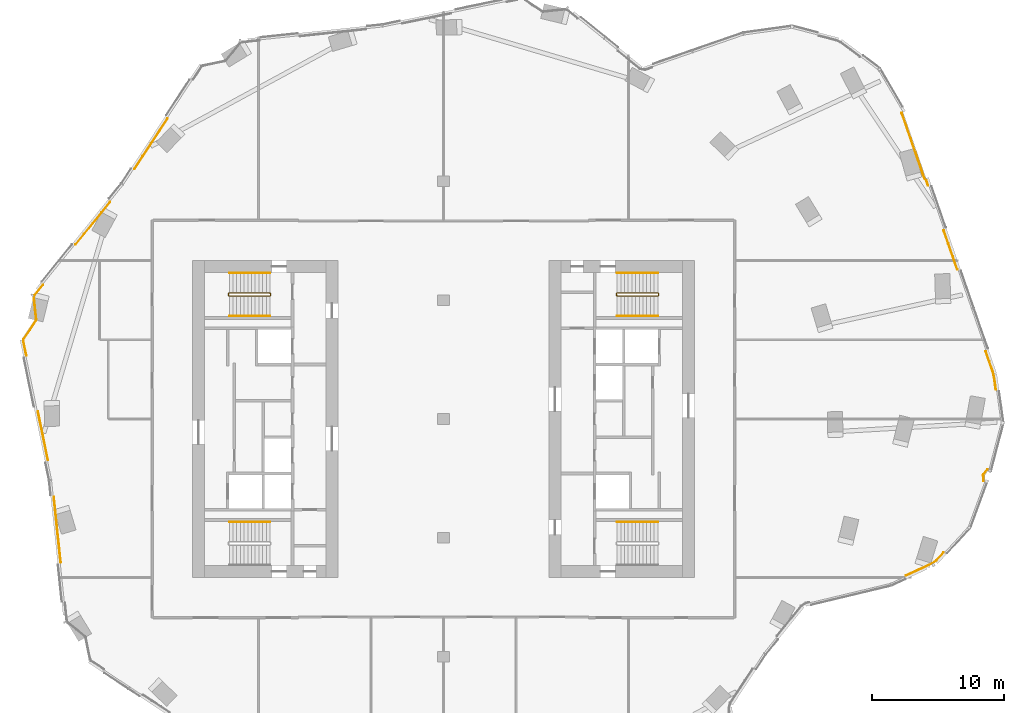
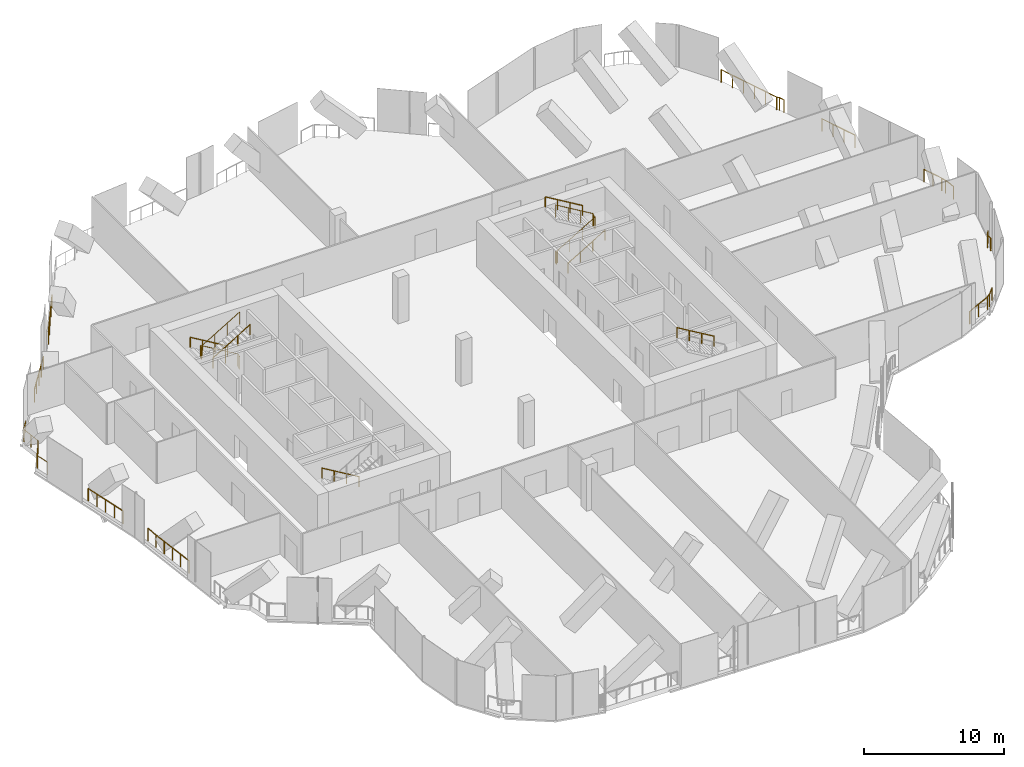
# One storey, part 25 of 26: 18 railings.
"""IFC4 building model written with IfcOpenShell, lengths in metres."""

from ifc_helpers import new_model, si_unit, direction, frame, origin, origin_2d, place, context, subcontext, project, spatial, circle, extrude, material, type_object, element, save


model = new_model("IFC4")

# Units and contexts
model_context = context("Model", 3, precision=1e-05, world=origin(), true_north=direction((0.0, 1.0)))
body_context = subcontext(model_context, "Body", "Model", "MODEL_VIEW")
ifc_project = project(units=[si_unit("LENGTHUNIT", "METRE"), si_unit("AREAUNIT", "SQUARE_METRE"), si_unit("VOLUMEUNIT", "CUBIC_METRE"), si_unit("PLANEANGLEUNIT", "RADIAN"), si_unit("MASSUNIT", "GRAM", prefix="KILO")], contexts=[model_context])

# Site, building, storey
site_placement = place(None, origin())
site = spatial("IfcSite", under=ifc_project, at=site_placement, CompositionType="ELEMENT")
building_placement = place(site_placement, origin())
building = spatial("IfcBuilding", under=site, at=building_placement, Name="Orlundy Tower", CompositionType="ELEMENT")
storey_placement = place(building_placement, frame((0.0, 0.0, 228.0)))
storey = spatial("IfcBuildingStorey", under=building, at=storey_placement, Name="L60", CompositionType="ELEMENT", Elevation=228.0)

# Railings
ifc_material_1 = material(Name="Steel balustrade", Category="steel")
railing_type_1 = type_object("IfcRailingType", Name="Stair Guard 1100", PredefinedType="GUARDRAIL", material=ifc_material_1)
railing_1_placement = place(storey_placement, frame((-13.090087890625, 9.5, 0.0)))
element("IfcRailing", 1, at=railing_1_placement, inside=storey, type_object=railing_type_1, Name="L60 ST-W1 stair guard 1", PredefinedType="GUARDRAIL", context=body_context, shape_type="SweptSolid", body=[
    extrude(circle(Radius=0.02392578125, at=origin_2d()), frame((0.0, 0.0, 1.076171875), z_axis=(0.0, -1.0, 0.0), x_axis=(1.0, 0.0, 0.0)), (0.0, 0.0, 1.0), 0.14990234375),
    extrude(circle(Radius=0.02392578125, at=origin_2d()), frame((0.0, -0.14990234375, 1.076171875), z_axis=(-0.1878875253, 0.754313153044, 0.629054802844), x_axis=(-0.970351222016, -0.241699205484, 0.0)), (0.0, 0.0, 1.0), 0.26513671875),
    extrude(circle(Radius=0.02392578125, at=origin_2d()), frame((-0.0498046875, 0.050048828125, 1.24267578125), z_axis=(-0.859308565015, 0.0, 0.511457515432), x_axis=(0.0, -1.0, 0.0)), (0.0, 0.0, 1.0), 3.58447265625),
    extrude(circle(Radius=0.02392578125, at=origin_2d()), frame((-3.1298828125, 0.050048828125, 3.076171875), z_axis=(-0.707106781187, -0.707106781187, 0.0), x_axis=(0.707106781187, -0.707106781187, 0.0)), (0.0, 0.0, 1.0), 0.07080078125),
    extrude(circle(Radius=0.02392578125, at=origin_2d()), frame((-3.179931640625, 0.0, 3.076171875), z_axis=(0.0, -1.0, 0.0), x_axis=(1.0, 0.0, 0.0)), (0.0, 0.0, 1.0), 0.14990234375),
    extrude(circle(Radius=0.02392578125, at=origin_2d()), frame((-3.179931640625, -0.14990234375, 3.076171875), z_axis=(0.27628659633, -0.27628659633, 0.920506074601), x_axis=(0.707106781187, 0.707106781187, 0.0)), (0.0, 0.0, 1.0), 0.18115234375),
    extrude(circle(Radius=0.02392578125, at=origin_2d()), frame((-3.1298828125, -0.199951171875, 3.24267578125), z_axis=(0.859308565015, 0.0, 0.511457515432), x_axis=(0.0, 1.0, 0.0)), (0.0, 0.0, 1.0), 3.58447265625),
    extrude(circle(Radius=0.02099609375, at=origin_2d()), origin(), (0.0, 0.0, 1.0), 1.052001953125),
    extrude(circle(Radius=0.02099609375, at=origin_2d()), frame((0.0, -0.14990234375, 0.0)), (0.0, 0.0, 1.0), 1.052001953125),
    extrude(circle(Radius=0.02099609375, at=origin_2d()), frame((-0.0498046875, 0.050048828125, 0.166748046875)), (0.0, 0.0, 1.0), 1.052001953125),
    extrude(circle(Radius=0.02099609375, at=origin_2d()), frame((-1.076416015625, 0.050048828125, 0.77783203125)), (0.0, 0.0, 1.0), 1.052001953125),
    extrude(circle(Radius=0.02099609375, at=origin_2d()), frame((-2.103271484375, 0.050048828125, 1.388916015625)), (0.0, 0.0, 1.0), 1.052001953125),
    extrude(circle(Radius=0.02099609375, at=origin_2d()), frame((-3.1298828125, 0.050048828125, 2.0)), (0.0, 0.0, 1.0), 1.052001953125),
    extrude(circle(Radius=0.02099609375, at=origin_2d()), frame((-3.179931640625, 0.0, 2.0)), (0.0, 0.0, 1.0), 1.052001953125),
    extrude(circle(Radius=0.02099609375, at=origin_2d()), frame((-3.179931640625, -0.14990234375, 2.0)), (0.0, 0.0, 1.0), 1.052001953125),
    extrude(circle(Radius=0.02099609375, at=origin_2d()), frame((-3.1298828125, -0.199951171875, 2.166748046875)), (0.0, 0.0, 1.0), 1.052001953125),
    extrude(circle(Radius=0.02099609375, at=origin_2d()), frame((-2.103271484375, -0.199951171875, 2.77783203125)), (0.0, 0.0, 1.0), 1.052001953125),
    extrude(circle(Radius=0.02099609375, at=origin_2d()), frame((-1.076416015625, -0.199951171875, 3.388916015625)), (0.0, 0.0, 1.0), 1.052001953125),
    extrude(circle(Radius=0.02099609375, at=origin_2d()), frame((-0.0498046875, -0.199951171875, 4.0)), (0.0, 0.0, 1.0), 1.052001953125),
])
railing_2_placement = place(storey_placement, frame((13.090087890625, 9.35009765625, 0.0)))
element("IfcRailing", 2, at=railing_2_placement, inside=storey, type_object=railing_type_1, Name="L60 ST-E2 stair guard 1", PredefinedType="GUARDRAIL", context=body_context, shape_type="SweptSolid", body=[
    extrude(circle(Radius=0.02392578125, at=origin_2d()), frame((0.0, 0.0, 1.076171875), z_axis=(0.0, 1.0, 0.0), x_axis=(-1.0, 0.0, 0.0)), (0.0, 0.0, 1.0), 0.14990234375),
    extrude(circle(Radius=0.02392578125, at=origin_2d()), frame((0.0, 0.14990234375, 1.076171875), z_axis=(0.1878875253, -0.754313153044, 0.629054802844), x_axis=(0.970351222016, 0.241699205484, 0.0)), (0.0, 0.0, 1.0), 0.26513671875),
    extrude(circle(Radius=0.02392578125, at=origin_2d()), frame((0.0498046875, -0.050048828125, 1.24267578125), z_axis=(0.859308565015, 0.0, 0.511457515432), x_axis=(0.0, 1.0, 0.0)), (0.0, 0.0, 1.0), 3.58447265625),
    extrude(circle(Radius=0.02392578125, at=origin_2d()), frame((3.1298828125, -0.050048828125, 3.076171875), z_axis=(0.707106781187, 0.707106781187, 0.0), x_axis=(-0.707106781187, 0.707106781187, 0.0)), (0.0, 0.0, 1.0), 0.07080078125),
    extrude(circle(Radius=0.02392578125, at=origin_2d()), frame((3.179931640625, 0.0, 3.076171875), z_axis=(0.0, 1.0, 0.0), x_axis=(-1.0, 0.0, 0.0)), (0.0, 0.0, 1.0), 0.14990234375),
    extrude(circle(Radius=0.02392578125, at=origin_2d()), frame((3.179931640625, 0.14990234375, 3.076171875), z_axis=(-0.27628659633, 0.27628659633, 0.920506074601), x_axis=(-0.707106781187, -0.707106781187, 0.0)), (0.0, 0.0, 1.0), 0.18115234375),
    extrude(circle(Radius=0.02392578125, at=origin_2d()), frame((3.1298828125, 0.199951171875, 3.24267578125), z_axis=(-0.859308565015, 0.0, 0.511457515432), x_axis=(0.0, -1.0, 0.0)), (0.0, 0.0, 1.0), 3.58447265625),
    extrude(circle(Radius=0.02099609375, at=origin_2d()), origin(), (0.0, 0.0, 1.0), 1.052001953125),
    extrude(circle(Radius=0.02099609375, at=origin_2d()), frame((0.0, 0.14990234375, 0.0)), (0.0, 0.0, 1.0), 1.052001953125),
    extrude(circle(Radius=0.02099609375, at=origin_2d()), frame((0.0498046875, -0.050048828125, 0.166748046875)), (0.0, 0.0, 1.0), 1.052001953125),
    extrude(circle(Radius=0.02099609375, at=origin_2d()), frame((1.076416015625, -0.050048828125, 0.77783203125)), (0.0, 0.0, 1.0), 1.052001953125),
    extrude(circle(Radius=0.02099609375, at=origin_2d()), frame((2.103271484375, -0.050048828125, 1.388916015625)), (0.0, 0.0, 1.0), 1.052001953125),
    extrude(circle(Radius=0.02099609375, at=origin_2d()), frame((3.1298828125, -0.050048828125, 2.0)), (0.0, 0.0, 1.0), 1.052001953125),
    extrude(circle(Radius=0.02099609375, at=origin_2d()), frame((3.179931640625, 0.0, 2.0)), (0.0, 0.0, 1.0), 1.052001953125),
    extrude(circle(Radius=0.02099609375, at=origin_2d()), frame((3.179931640625, 0.14990234375, 2.0)), (0.0, 0.0, 1.0), 1.052001953125),
    extrude(circle(Radius=0.02099609375, at=origin_2d()), frame((3.1298828125, 0.199951171875, 2.166748046875)), (0.0, 0.0, 1.0), 1.052001953125),
    extrude(circle(Radius=0.02099609375, at=origin_2d()), frame((2.103271484375, 0.199951171875, 2.77783203125)), (0.0, 0.0, 1.0), 1.052001953125),
    extrude(circle(Radius=0.02099609375, at=origin_2d()), frame((1.076416015625, 0.199951171875, 3.388916015625)), (0.0, 0.0, 1.0), 1.052001953125),
    extrude(circle(Radius=0.02099609375, at=origin_2d()), frame((0.0498046875, 0.199951171875, 4.0)), (0.0, 0.0, 1.0), 1.052001953125),
])
ifc_material_2 = material(Name="Steel handrail", Category="steel")
railing_type_2 = type_object("IfcRailingType", Name="Stair Handrail 900", PredefinedType="HANDRAIL", material=ifc_material_2)
railing_3_placement = place(storey_placement, frame((-13.139892578125, 11.050048828125, 0.166748046875)))
element("IfcRailing", 3, at=railing_3_placement, inside=storey, type_object=railing_type_2, Name="L60 ST-W1 stair handrail 1", PredefinedType="HANDRAIL", context=body_context, shape_type="SweptSolid", body=[
    extrude(circle(Radius=0.02392578125, at=origin_2d()), frame((0.0, 0.0, 0.8759765625), z_axis=(-0.859308565015, 0.0, 0.511457515432), x_axis=(0.0, -1.0, 0.0)), (0.0, 0.0, 1.0), 3.58447265625),
    extrude(circle(Radius=0.02099609375, at=origin_2d()), origin(), (0.0, 0.0, 1.0), 0.851806640625),
    extrude(circle(Radius=0.02099609375, at=origin_2d()), frame((-1.026611328125, 0.0, 0.611083984375)), (0.0, 0.0, 1.0), 0.851806640625),
    extrude(circle(Radius=0.02099609375, at=origin_2d()), frame((-2.053466796875, 0.0, 1.22216796875)), (0.0, 0.0, 1.0), 0.851806640625),
    extrude(circle(Radius=0.02099609375, at=origin_2d()), frame((-3.080078125, 0.0, 1.833251953125)), (0.0, 0.0, 1.0), 0.851806640625),
])
railing_4_placement = place(storey_placement, frame((-16.219970703125, 7.800048828125, 2.166748046875)))
element("IfcRailing", 4, at=railing_4_placement, inside=storey, type_object=railing_type_2, Name="L60 ST-W1 stair handrail 2", PredefinedType="HANDRAIL", context=body_context, shape_type="SweptSolid", body=[
    extrude(circle(Radius=0.02392578125, at=origin_2d()), frame((0.0, 0.0, 0.8759765625), z_axis=(0.859308565015, 0.0, 0.511457515432), x_axis=(0.0, 1.0, 0.0)), (0.0, 0.0, 1.0), 3.58447265625),
    extrude(circle(Radius=0.02099609375, at=origin_2d()), origin(), (0.0, 0.0, 1.0), 0.851806640625),
    extrude(circle(Radius=0.02099609375, at=origin_2d()), frame((1.026611328125, 0.0, 0.611083984375)), (0.0, 0.0, 1.0), 0.851806640625),
    extrude(circle(Radius=0.02099609375, at=origin_2d()), frame((2.053466796875, 0.0, 1.22216796875)), (0.0, 0.0, 1.0), 0.851806640625),
    extrude(circle(Radius=0.02099609375, at=origin_2d()), frame((3.080078125, 0.0, 1.833251953125)), (0.0, 0.0, 1.0), 0.851806640625),
])
for number, where, name in (
    (5, (-13.139892578125, -7.800048828125, 0.166748046875), "L60 ST-W2 stair handrail 1"),
    (6, (16.219970703125, -7.800048828125, 2.166748046875), "L60 ST-E1 stair handrail 2"),
):
    element("IfcRailing", number, at=place(storey_placement, frame(where)), inside=storey, type_object=railing_type_2, Name=name, PredefinedType="HANDRAIL", context=body_context, shape_type="SweptSolid", body=[
        extrude(circle(Radius=0.02392578125, at=origin_2d()), frame((0.0, 0.0, 0.8759765625), z_axis=(-0.859308565015, 0.0, 0.511457515432), x_axis=(0.0, -1.0, 0.0)), (0.0, 0.0, 1.0), 3.58447265625),
        extrude(circle(Radius=0.02099609375, at=origin_2d()), origin(), (0.0, 0.0, 1.0), 0.851806640625),
        extrude(circle(Radius=0.02099609375, at=origin_2d()), frame((-1.026611328125, 0.0, 0.611083984375)), (0.0, 0.0, 1.0), 0.851806640625),
        extrude(circle(Radius=0.02099609375, at=origin_2d()), frame((-2.053466796875, 0.0, 1.22216796875)), (0.0, 0.0, 1.0), 0.851806640625),
        extrude(circle(Radius=0.02099609375, at=origin_2d()), frame((-3.080078125, 0.0, 1.833251953125)), (0.0, 0.0, 1.0), 0.851806640625),
    ])
railing_5_placement = place(storey_placement, frame((13.139892578125, 7.800048828125, 0.166748046875)))
element("IfcRailing", 7, at=railing_5_placement, inside=storey, type_object=railing_type_2, Name="L60 ST-E2 stair handrail 1", PredefinedType="HANDRAIL", context=body_context, shape_type="SweptSolid", body=[
    extrude(circle(Radius=0.02392578125, at=origin_2d()), frame((0.0, 0.0, 0.8759765625), z_axis=(0.859308565015, 0.0, 0.511457515432), x_axis=(0.0, 1.0, 0.0)), (0.0, 0.0, 1.0), 3.58447265625),
    extrude(circle(Radius=0.02099609375, at=origin_2d()), origin(), (0.0, 0.0, 1.0), 0.851806640625),
    extrude(circle(Radius=0.02099609375, at=origin_2d()), frame((1.026611328125, 0.0, 0.611083984375)), (0.0, 0.0, 1.0), 0.851806640625),
    extrude(circle(Radius=0.02099609375, at=origin_2d()), frame((2.053466796875, 0.0, 1.22216796875)), (0.0, 0.0, 1.0), 0.851806640625),
    extrude(circle(Radius=0.02099609375, at=origin_2d()), frame((3.080078125, 0.0, 1.833251953125)), (0.0, 0.0, 1.0), 0.851806640625),
])
railing_6_placement = place(storey_placement, frame((16.219970703125, 11.050048828125, 2.166748046875)))
element("IfcRailing", 8, at=railing_6_placement, inside=storey, type_object=railing_type_2, Name="L60 ST-E2 stair handrail 2", PredefinedType="HANDRAIL", context=body_context, shape_type="SweptSolid", body=[
    extrude(circle(Radius=0.02392578125, at=origin_2d()), frame((0.0, 0.0, 0.8759765625), z_axis=(-0.859308565015, 0.0, 0.511457515432), x_axis=(0.0, -1.0, 0.0)), (0.0, 0.0, 1.0), 3.58447265625),
    extrude(circle(Radius=0.02099609375, at=origin_2d()), origin(), (0.0, 0.0, 1.0), 0.851806640625),
    extrude(circle(Radius=0.02099609375, at=origin_2d()), frame((-1.026611328125, 0.0, 0.611083984375)), (0.0, 0.0, 1.0), 0.851806640625),
    extrude(circle(Radius=0.02099609375, at=origin_2d()), frame((-2.053466796875, 0.0, 1.22216796875)), (0.0, 0.0, 1.0), 0.851806640625),
    extrude(circle(Radius=0.02099609375, at=origin_2d()), frame((-3.080078125, 0.0, 1.833251953125)), (0.0, 0.0, 1.0), 0.851806640625),
])
ifc_material_3 = material(Name="Stainless steel bronze finish", Category="steel")
railing_type_3 = type_object("IfcRailingType", Name="TG1 terrace guard", PredefinedType="GUARDRAIL", material=ifc_material_3)
railing_7_placement = place(storey_placement, frame((-31.586181640625, 4.815673828125, 0.0)))
element("IfcRailing", 9, at=railing_7_placement, inside=storey, type_object=railing_type_3, Name="Guard TG-L60-E03", PredefinedType="GUARDRAIL", context=body_context, shape_type="SweptSolid", body=[
    extrude(circle(Radius=0.02490234375, at=origin_2d()), frame((0.0, 0.0, 1.09521484375), z_axis=(-0.202425856492, 0.979297591452, 0.0), x_axis=(-0.979297591452, -0.202425856492, 0.0)), (0.0, 0.0, 1.0), 1.122802734375),
    extrude(circle(Radius=0.02490234375, at=origin_2d()), frame((-0.227294921875, 1.099609375, 1.09521484375), z_axis=(0.167921895274, 0.985800302844, 0.0), x_axis=(-0.985800302844, 0.167921895274, 0.0)), (0.0, 0.0, 1.0), 0.12353515625),
    extrude(circle(Radius=0.02490234375, at=origin_2d()), frame((-0.20654296875, 1.221435546875, 1.09521484375), z_axis=(0.549529627259, 0.835474229863, 0.0), x_axis=(-0.835474229863, 0.549529627259, 0.0)), (0.0, 0.0, 1.0), 1.703369140625),
    extrude(circle(Radius=0.02490234375, at=origin_2d()), frame((0.7294921875, 2.64453125, 1.09521484375), z_axis=(0.236119836777, 0.971723943659, 0.0), x_axis=(-0.971723943659, 0.236119836777, 0.0)), (0.0, 0.0, 1.0), 0.08056640625),
    extrude(circle(Radius=0.02490234375, at=origin_2d()), frame((0.74853515625, 2.722900390625, 1.09521484375), z_axis=(-0.104364333885, 0.994539132369, 0.0), x_axis=(-0.994539132369, -0.104364333885, 0.0)), (0.0, 0.0, 1.0), 1.705322265625),
    extrude(circle(Radius=0.02490234375, at=origin_2d()), frame((0.570556640625, 4.4189453125, 1.09521484375), z_axis=(0.304345448732, 0.952561729147, 0.0), x_axis=(-0.952561729147, 0.304345448732, 0.0)), (0.0, 0.0, 1.0), 0.12353515625),
    extrude(circle(Radius=0.02490234375, at=origin_2d()), frame((0.608154296875, 4.53662109375, 1.09521484375), z_axis=(0.629337161206, 0.777132380952, 0.0), x_axis=(-0.777132380952, 0.629337161206, 0.0)), (0.0, 0.0, 1.0), 1.010986328125),
    extrude(circle(Radius=0.02001953125, at=origin_2d()), origin(), (0.0, 0.0, 1.0), 1.070068359375),
    extrude(circle(Radius=0.02001953125, at=origin_2d()), frame((-0.227294921875, 1.099609375, 0.0)), (0.0, 0.0, 1.0), 1.070068359375),
    extrude(circle(Radius=0.02001953125, at=origin_2d()), frame((-0.20654296875, 1.221435546875, 0.0)), (0.0, 0.0, 1.0), 1.070068359375),
    extrude(circle(Radius=0.02001953125, at=origin_2d()), frame((0.261474609375, 1.93310546875, 0.0)), (0.0, 0.0, 1.0), 1.070068359375),
    extrude(circle(Radius=0.02001953125, at=origin_2d()), frame((0.7294921875, 2.64453125, 0.0)), (0.0, 0.0, 1.0), 1.070068359375),
    extrude(circle(Radius=0.02001953125, at=origin_2d()), frame((0.74853515625, 2.722900390625, 0.0)), (0.0, 0.0, 1.0), 1.070068359375),
    extrude(circle(Radius=0.02001953125, at=origin_2d()), frame((0.65966796875, 3.57080078125, 0.0)), (0.0, 0.0, 1.0), 1.070068359375),
    extrude(circle(Radius=0.02001953125, at=origin_2d()), frame((0.570556640625, 4.4189453125, 0.0)), (0.0, 0.0, 1.0), 1.070068359375),
    extrude(circle(Radius=0.02001953125, at=origin_2d()), frame((0.608154296875, 4.53662109375, 0.0)), (0.0, 0.0, 1.0), 1.070068359375),
    extrude(circle(Radius=0.02001953125, at=origin_2d()), frame((1.244384765625, 5.322265625, 0.0)), (0.0, 0.0, 1.0), 1.070068359375),
])
railing_8_placement = place(storey_placement, frame((34.694580078125, 23.175537109375, 0.0)))
element("IfcRailing", 10, at=railing_8_placement, inside=storey, type_object=railing_type_3, Name="Guard TG-L60-E05", PredefinedType="GUARDRAIL", context=body_context, shape_type="SweptSolid", body=[
    extrude(circle(Radius=0.02490234375, at=origin_2d()), frame((0.0, 0.0, 1.09521484375), z_axis=(0.328311392455, -0.944569547246, 0.0), x_axis=(0.944569547246, 0.328311392455, 0.0)), (0.0, 0.0, 1.0), 5.25),
    extrude(circle(Radius=0.02490234375, at=origin_2d()), frame((1.7236328125, -4.958984375, 1.09521484375), z_axis=(0.655448452775, -0.755239912713, 0.0), x_axis=(0.755239912713, 0.655448452775, 0.0)), (0.0, 0.0, 1.0), 0.21533203125),
    extrude(circle(Radius=0.02490234375, at=origin_2d()), frame((1.86474609375, -5.12158203125, 1.09521484375), z_axis=(0.328520624941, -0.944496796706, 0.0), x_axis=(0.944496796706, 0.328520624941, 0.0)), (0.0, 0.0, 1.0), 0.3984375),
    extrude(circle(Radius=0.02001953125, at=origin_2d()), origin(), (0.0, 0.0, 1.0), 1.070068359375),
    extrude(circle(Radius=0.02001953125, at=origin_2d()), frame((0.3447265625, -0.99169921875, 0.0)), (0.0, 0.0, 1.0), 1.070068359375),
    extrude(circle(Radius=0.02001953125, at=origin_2d()), frame((0.689453125, -1.983642578125, 0.0)), (0.0, 0.0, 1.0), 1.070068359375),
    extrude(circle(Radius=0.02001953125, at=origin_2d()), frame((1.0341796875, -2.975341796875, 0.0)), (0.0, 0.0, 1.0), 1.070068359375),
    extrude(circle(Radius=0.02001953125, at=origin_2d()), frame((1.37890625, -3.96728515625, 0.0)), (0.0, 0.0, 1.0), 1.070068359375),
    extrude(circle(Radius=0.02001953125, at=origin_2d()), frame((1.7236328125, -4.958984375, 0.0)), (0.0, 0.0, 1.0), 1.070068359375),
    extrude(circle(Radius=0.02001953125, at=origin_2d()), frame((1.86474609375, -5.12158203125, 0.0)), (0.0, 0.0, 1.0), 1.070068359375),
    extrude(circle(Radius=0.02001953125, at=origin_2d()), frame((1.99560546875, -5.497802734375, 0.0)), (0.0, 0.0, 1.0), 1.070068359375),
])
railing_9_placement = place(storey_placement, frame((-28.983642578125, -10.860107421875, 0.0)))
element("IfcRailing", 11, at=railing_9_placement, inside=storey, type_object=railing_type_3, Name="Guard TG-L60-E07", PredefinedType="GUARDRAIL", context=body_context, shape_type="SweptSolid", body=[
    extrude(circle(Radius=0.02490234375, at=origin_2d()), frame((0.0, 0.0, 1.09521484375), z_axis=(-0.104542377748, 0.994520432799, 0.0), x_axis=(-0.994520432799, -0.104542377748, 0.0)), (0.0, 0.0, 1.0), 4.99755859375),
    extrude(circle(Radius=0.02001953125, at=origin_2d()), origin(), (0.0, 0.0, 1.0), 1.070068359375),
    extrude(circle(Radius=0.02001953125, at=origin_2d()), frame((-0.1044921875, 0.994140625, 0.0)), (0.0, 0.0, 1.0), 1.070068359375),
    extrude(circle(Radius=0.02001953125, at=origin_2d()), frame((-0.208984375, 1.988037109375, 0.0)), (0.0, 0.0, 1.0), 1.070068359375),
    extrude(circle(Radius=0.02001953125, at=origin_2d()), frame((-0.3134765625, 2.982177734375, 0.0)), (0.0, 0.0, 1.0), 1.070068359375),
    extrude(circle(Radius=0.02001953125, at=origin_2d()), frame((-0.41796875, 3.97607421875, 0.0)), (0.0, 0.0, 1.0), 1.070068359375),
    extrude(circle(Radius=0.02001953125, at=origin_2d()), frame((-0.5224609375, 4.97021484375, 0.0)), (0.0, 0.0, 1.0), 1.070068359375),
])
railing_10_placement = place(storey_placement, frame((-23.40087890625, 18.94140625, 0.0)))
element("IfcRailing", 12, at=railing_10_placement, inside=storey, type_object=railing_type_3, Name="Guard TG-L60-E09", PredefinedType="GUARDRAIL", context=body_context, shape_type="SweptSolid", body=[
    extrude(circle(Radius=0.02490234375, at=origin_2d()), frame((0.0, 0.0, 1.09521484375), z_axis=(0.549504489788, 0.835490763386, 0.0), x_axis=(-0.835490763386, 0.549504489788, 0.0)), (0.0, 0.0, 1.0), 4.563720703125),
    extrude(circle(Radius=0.02001953125, at=origin_2d()), origin(), (0.0, 0.0, 1.0), 1.070068359375),
    extrude(circle(Radius=0.02001953125, at=origin_2d()), frame((0.626953125, 0.953125, 0.0)), (0.0, 0.0, 1.0), 1.070068359375),
    extrude(circle(Radius=0.02001953125, at=origin_2d()), frame((1.25390625, 1.906494140625, 0.0)), (0.0, 0.0, 1.0), 1.070068359375),
    extrude(circle(Radius=0.02001953125, at=origin_2d()), frame((1.880859375, 2.85986328125, 0.0)), (0.0, 0.0, 1.0), 1.070068359375),
    extrude(circle(Radius=0.02001953125, at=origin_2d()), frame((2.5078125, 3.81298828125, 0.0)), (0.0, 0.0, 1.0), 1.070068359375),
])
railing_11_placement = place(storey_placement, frame((-27.865478515625, 13.19580078125, 0.0)))
element("IfcRailing", 13, at=railing_11_placement, inside=storey, type_object=railing_type_3, Name="Guard TG-L60-E010", PredefinedType="GUARDRAIL", context=body_context, shape_type="SweptSolid", body=[
    extrude(circle(Radius=0.02490234375, at=origin_2d()), frame((0.0, 0.0, 1.09521484375), z_axis=(0.629284155336, 0.777175303161, 0.0), x_axis=(-0.777175303161, 0.629284155336, 0.0)), (0.0, 0.0, 1.0), 4.168212890625),
    extrude(circle(Radius=0.02001953125, at=origin_2d()), origin(), (0.0, 0.0, 1.0), 1.070068359375),
    extrude(circle(Radius=0.02001953125, at=origin_2d()), frame((0.65576171875, 0.809814453125, 0.0)), (0.0, 0.0, 1.0), 1.070068359375),
    extrude(circle(Radius=0.02001953125, at=origin_2d()), frame((1.3115234375, 1.61962890625, 0.0)), (0.0, 0.0, 1.0), 1.070068359375),
    extrude(circle(Radius=0.02001953125, at=origin_2d()), frame((1.96728515625, 2.4296875, 0.0)), (0.0, 0.0, 1.0), 1.070068359375),
    extrude(circle(Radius=0.02001953125, at=origin_2d()), frame((2.623046875, 3.239501953125, 0.0)), (0.0, 0.0, 1.0), 1.070068359375),
])
railing_12_placement = place(storey_placement, frame((-29.948974609375, -3.11181640625, 0.0)))
element("IfcRailing", 14, at=railing_12_placement, inside=storey, type_object=railing_type_3, Name="Guard TG-L60-E012", PredefinedType="GUARDRAIL", context=body_context, shape_type="SweptSolid", body=[
    extrude(circle(Radius=0.02490234375, at=origin_2d()), frame((0.0, 0.0, 1.09521484375), z_axis=(-0.202297712121, 0.979324070811, 0.0), x_axis=(-0.979324070811, -0.202297712121, 0.0)), (0.0, 0.0, 1.0), 3.749755859375),
    extrude(circle(Radius=0.02001953125, at=origin_2d()), origin(), (0.0, 0.0, 1.0), 1.070068359375),
    extrude(circle(Radius=0.02001953125, at=origin_2d()), frame((-0.189697265625, 0.91796875, 0.0)), (0.0, 0.0, 1.0), 1.070068359375),
    extrude(circle(Radius=0.02001953125, at=origin_2d()), frame((-0.37939453125, 1.8359375, 0.0)), (0.0, 0.0, 1.0), 1.070068359375),
    extrude(circle(Radius=0.02001953125, at=origin_2d()), frame((-0.56884765625, 2.754150390625, 0.0)), (0.0, 0.0, 1.0), 1.070068359375),
    extrude(circle(Radius=0.02001953125, at=origin_2d()), frame((-0.758544921875, 3.672119140625, 0.0)), (0.0, 0.0, 1.0), 1.070068359375),
])
railing_13_placement = place(storey_placement, frame((37.864013671875, -10.121337890625, 0.0)))
element("IfcRailing", 15, at=railing_13_placement, inside=storey, type_object=railing_type_3, Name="Guard TG-L60-E017", PredefinedType="GUARDRAIL", context=body_context, shape_type="SweptSolid", body=[
    extrude(circle(Radius=0.02490234375, at=origin_2d()), frame((0.0, 0.0, 1.09521484375), z_axis=(-0.678766661281, -0.734354015127, 0.0), x_axis=(0.734354015127, -0.678766661281, 0.0)), (0.0, 0.0, 1.0), 0.8125),
    extrude(circle(Radius=0.02490234375, at=origin_2d()), frame((-0.551513671875, -0.5966796875, 1.09521484375), z_axis=(-0.809156100482, -0.587593741503, 0.0), x_axis=(0.587593741503, -0.809156100482, 0.0)), (0.0, 0.0, 1.0), 0.376953125),
    extrude(circle(Radius=0.02490234375, at=origin_2d()), frame((-0.8564453125, -0.818115234375, 1.09521484375), z_axis=(-0.90813547918, -0.418676428109, 0.0), x_axis=(0.418676428109, -0.90813547918, 0.0)), (0.0, 0.0, 1.0), 2.190185546875),
    extrude(circle(Radius=0.02001953125, at=origin_2d()), origin(), (0.0, 0.0, 1.0), 1.070068359375),
    extrude(circle(Radius=0.02001953125, at=origin_2d()), frame((-0.551513671875, -0.5966796875, 0.0)), (0.0, 0.0, 1.0), 1.070068359375),
    extrude(circle(Radius=0.02001953125, at=origin_2d()), frame((-0.8564453125, -0.818115234375, 0.0)), (0.0, 0.0, 1.0), 1.070068359375),
    extrude(circle(Radius=0.02001953125, at=origin_2d()), frame((-1.85107421875, -1.276611328125, 0.0)), (0.0, 0.0, 1.0), 1.070068359375),
    extrude(circle(Radius=0.02001953125, at=origin_2d()), frame((-2.845458984375, -1.735107421875, 0.0)), (0.0, 0.0, 1.0), 1.070068359375),
])
railing_14_placement = place(storey_placement, frame((37.871337890625, 14.279052734375, 0.0)))
element("IfcRailing", 16, at=railing_14_placement, inside=storey, type_object=railing_type_3, Name="Guard TG-L60-E018", PredefinedType="GUARDRAIL", context=body_context, shape_type="SweptSolid", body=[
    extrude(circle(Radius=0.02490234375, at=origin_2d()), frame((0.0, 0.0, 1.09521484375), z_axis=(0.328298068518, -0.944574178245, 0.0), x_axis=(0.944574178245, 0.328298068518, 0.0)), (0.0, 0.0, 1.0), 3.148681640625),
    extrude(circle(Radius=0.02001953125, at=origin_2d()), origin(), (0.0, 0.0, 1.0), 1.070068359375),
    extrude(circle(Radius=0.02001953125, at=origin_2d()), frame((0.344482421875, -0.991455078125, 0.0)), (0.0, 0.0, 1.0), 1.070068359375),
    extrude(circle(Radius=0.02001953125, at=origin_2d()), frame((0.689208984375, -1.982666015625, 0.0)), (0.0, 0.0, 1.0), 1.070068359375),
    extrude(circle(Radius=0.02001953125, at=origin_2d()), frame((1.03369140625, -2.97412109375, 0.0)), (0.0, 0.0, 1.0), 1.070068359375),
])
railing_15_placement = place(storey_placement, frame((41.052001953125, 5.127197265625, 0.0)))
element("IfcRailing", 17, at=railing_15_placement, inside=storey, type_object=railing_type_3, Name="Guard TG-L60-E020", PredefinedType="GUARDRAIL", context=body_context, shape_type="SweptSolid", body=[
    extrude(circle(Radius=0.02490234375, at=origin_2d()), frame((0.0, 0.0, 1.09521484375), z_axis=(0.328344295708, -0.944558110164, 0.0), x_axis=(0.944558110164, 0.328344295708, 0.0)), (0.0, 0.0, 1.0), 1.664794921875),
    extrude(circle(Radius=0.02490234375, at=origin_2d()), frame((0.546630859375, -1.572509765625, 1.09521484375), z_axis=(0.233988130976, -0.972239453305, 0.0), x_axis=(0.972239453305, 0.233988130976, 0.0)), (0.0, 0.0, 1.0), 0.39013671875),
    extrude(circle(Radius=0.02490234375, at=origin_2d()), frame((0.637939453125, -1.951904296875, 1.09521484375), z_axis=(0.1378972751, -0.990446536427, 0.0), x_axis=(0.990446536427, 0.1378972751, 0.0)), (0.0, 0.0, 1.0), 0.95068359375),
    extrude(circle(Radius=0.02001953125, at=origin_2d()), origin(), (0.0, 0.0, 1.0), 1.070068359375),
    extrude(circle(Radius=0.02001953125, at=origin_2d()), frame((0.2734375, -0.7861328125, 0.0)), (0.0, 0.0, 1.0), 1.070068359375),
    extrude(circle(Radius=0.02001953125, at=origin_2d()), frame((0.546630859375, -1.572509765625, 0.0)), (0.0, 0.0, 1.0), 1.070068359375),
    extrude(circle(Radius=0.02001953125, at=origin_2d()), frame((0.637939453125, -1.951904296875, 0.0)), (0.0, 0.0, 1.0), 1.070068359375),
    extrude(circle(Radius=0.02001953125, at=origin_2d()), frame((0.76904296875, -2.8935546875, 0.0)), (0.0, 0.0, 1.0), 1.070068359375),
])
railing_16_placement = place(storey_placement, frame((41.184326171875, -3.8076171875, 0.0)))
element("IfcRailing", 18, at=railing_16_placement, inside=storey, type_object=railing_type_3, Name="Guard TG-L60-E026", PredefinedType="GUARDRAIL", context=body_context, shape_type="SweptSolid", body=[
    extrude(circle(Radius=0.02490234375, at=origin_2d()), frame((0.0, 0.0, 1.09521484375), z_axis=(-0.603303959073, -0.797511337203, 0.0), x_axis=(0.797511337203, -0.603303959073, 0.0)), (0.0, 0.0, 1.0), 0.48388671875),
    extrude(circle(Radius=0.02490234375, at=origin_2d()), frame((-0.2919921875, -0.385986328125, 1.09521484375), z_axis=(-0.298962705089, -0.954264796042, 0.0), x_axis=(0.954264796042, -0.298962705089, 0.0)), (0.0, 0.0, 1.0), 0.080810546875),
    extrude(circle(Radius=0.02490234375, at=origin_2d()), frame((-0.316162109375, -0.463134765625, 1.09521484375), z_axis=(0.039420450043, -0.999222711971, 0.0), x_axis=(0.999222711971, 0.039420450043, 0.0)), (0.0, 0.0, 1.0), 0.42724609375),
    extrude(circle(Radius=0.02001953125, at=origin_2d()), origin(), (0.0, 0.0, 1.0), 1.070068359375),
    extrude(circle(Radius=0.02001953125, at=origin_2d()), frame((-0.2919921875, -0.385986328125, 0.0)), (0.0, 0.0, 1.0), 1.070068359375),
    extrude(circle(Radius=0.02001953125, at=origin_2d()), frame((-0.316162109375, -0.463134765625, 0.0)), (0.0, 0.0, 1.0), 1.070068359375),
    extrude(circle(Radius=0.02001953125, at=origin_2d()), frame((-0.29931640625, -0.89013671875, 0.0)), (0.0, 0.0, 1.0), 1.070068359375),
])

save(model, "model.ifc")
